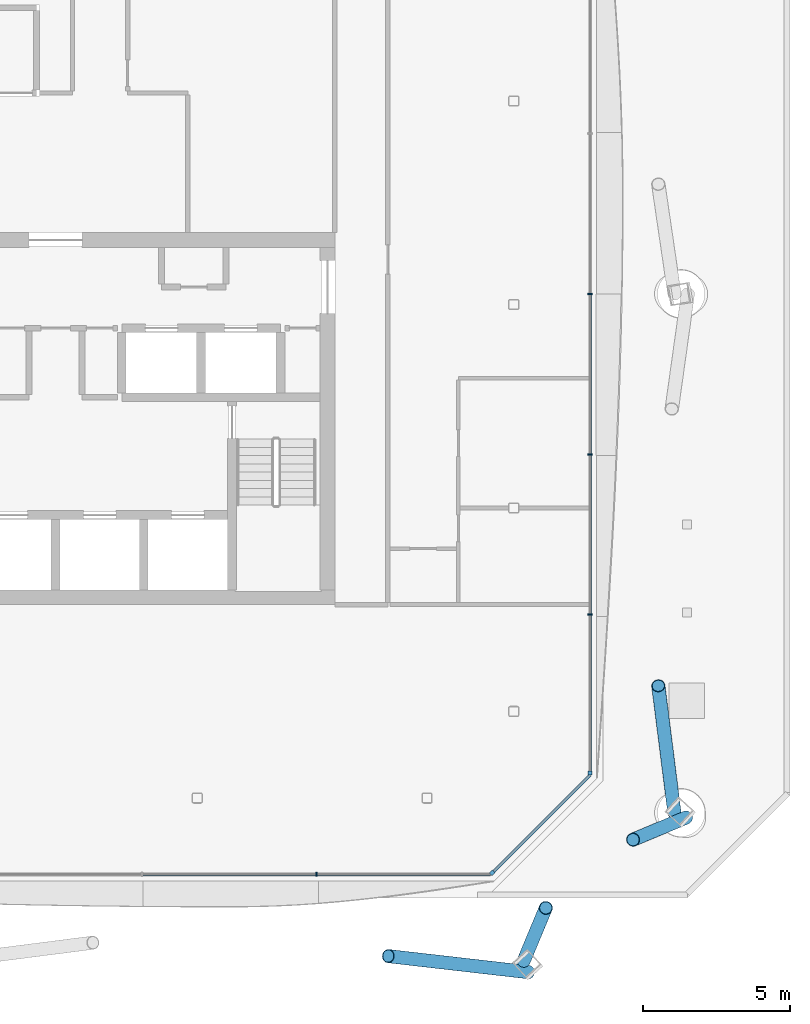
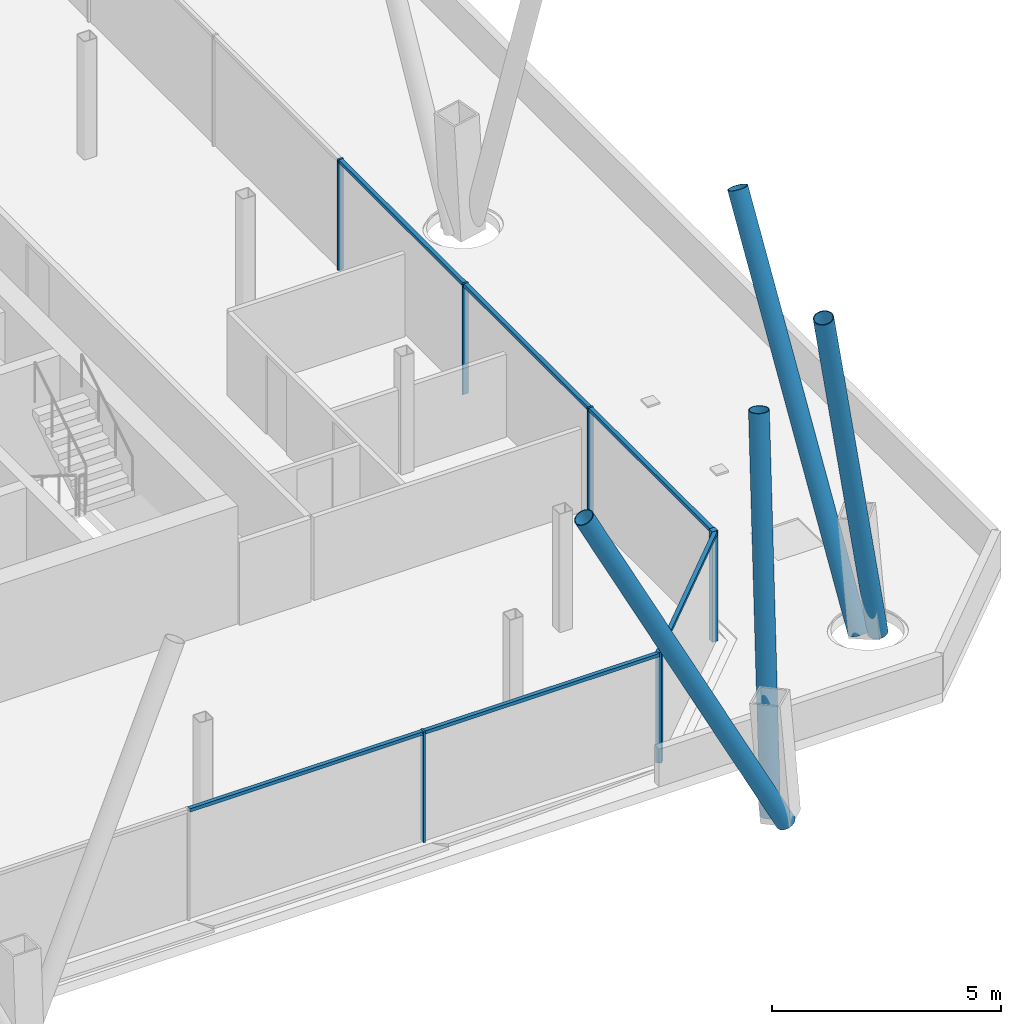
# One storey, part 7 of 21: 16 members, 3 elements without a shape of their own.
"""IFC4 building model written with IfcOpenShell, lengths in metres."""

from ifc_helpers import new_model, si_unit, direction, frame, origin, origin_2d, place, context, subcontext, project, spatial, rectangle, hollow_circle, extrude, material, material_profile, profile_set, type_object, element, aggregate, save


model = new_model("IFC4")

# Units and contexts
model_context = context("Model", 3, precision=1e-05, world=origin(), true_north=direction((0.0, 1.0)))
body_context = subcontext(model_context, "Body", "Model", "MODEL_VIEW")
ifc_project = project(units=[si_unit("LENGTHUNIT", "METRE"), si_unit("AREAUNIT", "SQUARE_METRE"), si_unit("VOLUMEUNIT", "CUBIC_METRE"), si_unit("PLANEANGLEUNIT", "RADIAN"), si_unit("MASSUNIT", "GRAM", prefix="KILO")], contexts=[model_context])

# Site, building, storey
site_placement = place(None, origin())
site = spatial("IfcSite", under=ifc_project, at=site_placement, CompositionType="ELEMENT")
building_placement = place(site_placement, origin())
building = spatial("IfcBuilding", under=site, at=building_placement, Name="Tskaro Facet Tower", CompositionType="ELEMENT")
storey_placement = place(building_placement, frame((0.0, 0.0, 172.199951171875)))
storey = spatial("IfcBuildingStorey", under=building, at=storey_placement, Name="L42", CompositionType="ELEMENT", Elevation=172.199951171875)

# Members
ifc_material_1 = material(Name="Steel S355J2H", Category="steel")
ifc_material_profile_1 = material_profile(ifc_material_1, hollow_circle(Radius=0.228515625, WallThickness=0.02001953125, at=origin_2d()), Name="CHS 457x20")
ifc_profile_set_1 = profile_set([ifc_material_profile_1], Name="Steel S355J2H")
member_type_1 = type_object("IfcMemberType", Name="CHS 457x20 brace", PredefinedType="BRACE", material=ifc_profile_set_1)
member_1_placement = place(storey_placement, frame((16.0849609375, -24.50439453125, 0.0), z_axis=(-0.450104616296, 0.051659655854, 0.891480293863), x_axis=(-0.114024005645, -0.993477994792, 0.0)))
element("IfcMember", 1, at=member_1_placement, inside=storey, type_object=member_type_1, Name="CHS 457x20 XB02B/4", PredefinedType="BRACE", context=body_context, shape_type="SweptSolid", body=[
    extrude(hollow_circle(Radius=0.228515625, WallThickness=0.02001953125, at=origin_2d()), origin(), (0.0, 0.0, 1.0), 10.600341796875),
])
for number, where, z_axis, x_axis, name in (
    (2, (15.92333984375, -24.114501953125, 0.0), (0.077730756553, 0.186356452478, 0.979402471972), (-0.922932265608, 0.384962378812, 0.0), "CHS 457x20 XB03A/4"),
    (3, (21.4375, -19.24658203125, 0.0), (-0.186332028065, -0.07773112306, 0.97940708994), (0.385006906593, -0.922913691455, 0.0), "CHS 457x20 XB03B/4"),
):
    element("IfcMember", number, at=place(storey_placement, frame(where, z_axis=z_axis, x_axis=x_axis)), inside=storey, type_object=member_type_1, Name=name, PredefinedType="BRACE", context=body_context, shape_type="SweptSolid", body=[
        extrude(hollow_circle(Radius=0.228515625, WallThickness=0.02001953125, at=origin_2d()), origin(), (0.0, 0.0, 1.0), 9.648681640625),
    ])
member_2_placement = place(storey_placement, frame((21.047607421875, -19.0849609375, 0.0), z_axis=(-0.052646398454, 0.41542325197, 0.908103451404), x_axis=(-0.99206526087, -0.125723976133, 0.0)))
element("IfcMember", 4, at=member_2_placement, inside=storey, type_object=member_type_1, Name="CHS 457x20 XB04A/4", PredefinedType="BRACE", context=body_context, shape_type="SweptSolid", body=[
    extrude(hollow_circle(Radius=0.228515625, WallThickness=0.02001953125, at=origin_2d()), origin(), (0.0, 0.0, 1.0), 10.40625),
])

# Curtain wall, member
ifc_material_2 = material(Name="Bronze anodised aluminium 6063-T6", Category="aluminium")
curtain_wall_type = type_object("IfcCurtainWallType", Name="Bronze residence curtain wall (FW3)", PredefinedType="NOTDEFINED", material=ifc_material_2)
curtain_wall_1_placement = place(storey_placement, origin())
curtain_wall_1 = element("IfcCurtainWall", 5, at=curtain_wall_1_placement, inside=storey, type_object=curtain_wall_type, Name="FW3 south-east facet L42", PredefinedType="NOTDEFINED")
ifc_material_profile_2 = material_profile(ifc_material_2, rectangle(XDim=0.139892578125, YDim=0.139892578125, at=origin_2d()), Name="Corner post 140x140")
ifc_profile_set_2 = profile_set([ifc_material_profile_2], Name="Bronze anodised aluminium 6063-T6")
member_type_2 = type_object("IfcMemberType", Name="FW3 bronze corner post 140x140", PredefinedType="MULLION", material=ifc_profile_set_2)
member_3_placement = place(storey_placement, frame((14.849609375, -21.12646484375, 0.0), z_axis=(0.0, 0.0, 1.0), x_axis=(0.707106781187, 0.707106781187, 0.0)))
member_3 = element("IfcMember", 6, at=member_3_placement, type_object=member_type_2, Name="FW3 south-east corner post", PredefinedType="MULLION", context=body_context, shape_type="SweptSolid", body=[
    extrude(rectangle(XDim=0.139892578125, YDim=0.139892578125, at=origin_2d()), origin(), (0.0, 0.0, 1.0), 2.949951171875),
])

curtain_wall_2_placement = place(storey_placement, origin())
curtain_wall_2 = element("IfcCurtainWall", 7, at=curtain_wall_2_placement, inside=storey, type_object=curtain_wall_type, Name="FW3 east facet L42", PredefinedType="NOTDEFINED")
member_4_placement = place(storey_placement, frame((18.176025390625, -17.72998046875, 0.0), z_axis=(0.0, 0.0, 1.0), x_axis=(0.0, 1.0, 0.0)))
member_4 = element("IfcMember", 8, at=member_4_placement, type_object=member_type_2, Name="FW3 east corner post", PredefinedType="MULLION", context=body_context, shape_type="SweptSolid", body=[
    extrude(rectangle(XDim=0.139892578125, YDim=0.139892578125, at=origin_2d()), origin(), (0.0, 0.0, 1.0), 2.949951171875),
])

curtain_wall_3_placement = place(storey_placement, origin())
curtain_wall_3 = element("IfcCurtainWall", 9, at=curtain_wall_3_placement, inside=storey, type_object=curtain_wall_type, Name="FW3 south facet L42", PredefinedType="NOTDEFINED")
ifc_material_profile_3 = material_profile(ifc_material_2, rectangle(XDim=0.050048828125, YDim=0.139892578125, at=origin_2d()), Name="Mullion 50x140")
ifc_profile_set_3 = profile_set([ifc_material_profile_3], Name="Bronze anodised aluminium 6063-T6")
member_type_3 = type_object("IfcMemberType", Name="FW3 bronze mullion 50x140", PredefinedType="MULLION", material=ifc_profile_set_3)
member_5_placement = place(storey_placement, frame((8.86669921875, -21.176025390625, 0.0), z_axis=(0.0, 0.0, 1.0), x_axis=(1.0, 0.0, 0.0)))
member_5 = element("IfcMember", 10, at=member_5_placement, type_object=member_type_3, Name="FW3 south mullion 5", PredefinedType="MULLION", context=body_context, shape_type="SweptSolid", body=[
    extrude(rectangle(XDim=0.050048828125, YDim=0.139892578125, at=origin_2d()), origin(), (0.0, 0.0, 1.0), 2.949951171875),
])

# Member
member_6_placement = place(storey_placement, frame((18.176025390625, -12.3447265625, 0.0), z_axis=(0.0, 0.0, 1.0), x_axis=(0.0, 1.0, 0.0)))
member_6 = element("IfcMember", 11, at=member_6_placement, type_object=member_type_3, Name="FW3 east mullion 1", PredefinedType="MULLION", context=body_context, shape_type="SweptSolid", body=[
    extrude(rectangle(XDim=0.050048828125, YDim=0.139892578125, at=origin_2d()), origin(), (0.0, 0.0, 1.0), 2.949951171875),
])

member_7_placement = place(storey_placement, frame((18.176025390625, -6.8896484375, 0.0), z_axis=(0.0, 0.0, 1.0), x_axis=(0.0, 1.0, 0.0)))
member_7 = element("IfcMember", 12, at=member_7_placement, type_object=member_type_3, Name="FW3 east mullion 2", PredefinedType="MULLION", context=body_context, shape_type="SweptSolid", body=[
    extrude(rectangle(XDim=0.050048828125, YDim=0.139892578125, at=origin_2d()), origin(), (0.0, 0.0, 1.0), 2.949951171875),
])

member_8_placement = place(storey_placement, frame((18.176025390625, -1.4345703125, 0.0), z_axis=(0.0, 0.0, 1.0), x_axis=(0.0, 1.0, 0.0)))
member_8 = element("IfcMember", 13, at=member_8_placement, type_object=member_type_3, Name="FW3 east mullion 3", PredefinedType="MULLION", context=body_context, shape_type="SweptSolid", body=[
    extrude(rectangle(XDim=0.050048828125, YDim=0.139892578125, at=origin_2d()), origin(), (0.0, 0.0, 1.0), 2.949951171875),
])

ifc_material_profile_4 = material_profile(ifc_material_2, rectangle(XDim=0.10009765625, YDim=0.090087890625, at=origin_2d()), Name="Transom 100x90")
ifc_profile_set_4 = profile_set([ifc_material_profile_4], Name="Bronze anodised aluminium 6063-T6")
member_type_4 = type_object("IfcMemberType", Name="FW3 bronze transom 100x90", PredefinedType="USERDEFINED", material=ifc_profile_set_4)
member_9_placement = place(storey_placement, frame((2.958251953125, -21.176025390625, 2.905029296875), z_axis=(1.0, 0.0, 0.0), x_axis=(0.0, 1.0, 0.0)))
member_9 = element("IfcMember", 14, at=member_9_placement, type_object=member_type_4, Name="FW3 south transom 5.1", ObjectType="TRANSOM", PredefinedType="USERDEFINED", context=body_context, shape_type="SweptSolid", body=[
    extrude(rectangle(XDim=0.10009765625, YDim=0.090087890625, at=origin_2d()), origin(), (0.0, 0.0, 1.0), 5.88330078125),
])

member_10_placement = place(storey_placement, frame((8.8916015625, -21.176025390625, 2.905029296875), z_axis=(1.0, 0.0, 0.0), x_axis=(0.0, 1.0, 0.0)))
member_10 = element("IfcMember", 15, at=member_10_placement, type_object=member_type_4, Name="FW3 south transom 6.1", ObjectType="TRANSOM", PredefinedType="USERDEFINED", context=body_context, shape_type="SweptSolid", body=[
    extrude(rectangle(XDim=0.10009765625, YDim=0.090087890625, at=origin_2d()), origin(), (0.0, 0.0, 1.0), 5.908447265625),
])

aggregate(curtain_wall_3, [member_5, member_9, member_10])

member_11_placement = place(storey_placement, frame((14.89892578125, -21.076904296875, 2.905029296875), z_axis=(0.707133121049, 0.707080440343, 0.0), x_axis=(-0.707080440343, 0.707133121049, 0.0)))
member_11 = element("IfcMember", 16, at=member_11_placement, type_object=member_type_4, Name="FW3 south-east transom 1.1", ObjectType="TRANSOM", PredefinedType="USERDEFINED", context=body_context, shape_type="SweptSolid", body=[
    extrude(rectangle(XDim=0.10009765625, YDim=0.090087890625, at=origin_2d()), origin(), (0.0, 0.0, 1.0), 4.63427734375),
])

aggregate(curtain_wall_1, [member_3, member_11])

member_12_placement = place(storey_placement, frame((18.176025390625, -17.659912109375, 2.905029296875), z_axis=(0.0, 1.0, 0.0), x_axis=(-1.0, 0.0, 0.0)))
member_12 = element("IfcMember", 17, at=member_12_placement, type_object=member_type_4, Name="FW3 east transom 1.1", ObjectType="TRANSOM", PredefinedType="USERDEFINED", context=body_context, shape_type="SweptSolid", body=[
    extrude(rectangle(XDim=0.10009765625, YDim=0.090087890625, at=origin_2d()), origin(), (0.0, 0.0, 1.0), 5.2900390625),
])

member_13_placement = place(storey_placement, frame((18.176025390625, -12.31982421875, 2.905029296875), z_axis=(0.0, 1.0, 0.0), x_axis=(-1.0, 0.0, 0.0)))
member_13 = element("IfcMember", 18, at=member_13_placement, type_object=member_type_4, Name="FW3 east transom 2.1", ObjectType="TRANSOM", PredefinedType="USERDEFINED", context=body_context, shape_type="SweptSolid", body=[
    extrude(rectangle(XDim=0.10009765625, YDim=0.090087890625, at=origin_2d()), origin(), (0.0, 0.0, 1.0), 5.4052734375),
])

member_14_placement = place(storey_placement, frame((18.176025390625, -6.86474609375, 2.905029296875), z_axis=(0.0, 1.0, 0.0), x_axis=(-1.0, 0.0, 0.0)))
member_14 = element("IfcMember", 19, at=member_14_placement, type_object=member_type_4, Name="FW3 east transom 3.1", ObjectType="TRANSOM", PredefinedType="USERDEFINED", context=body_context, shape_type="SweptSolid", body=[
    extrude(rectangle(XDim=0.10009765625, YDim=0.090087890625, at=origin_2d()), origin(), (0.0, 0.0, 1.0), 5.4052734375),
])

aggregate(curtain_wall_2, [member_4, member_6, member_7, member_8, member_12, member_13, member_14])

save(model, "model.ifc")
